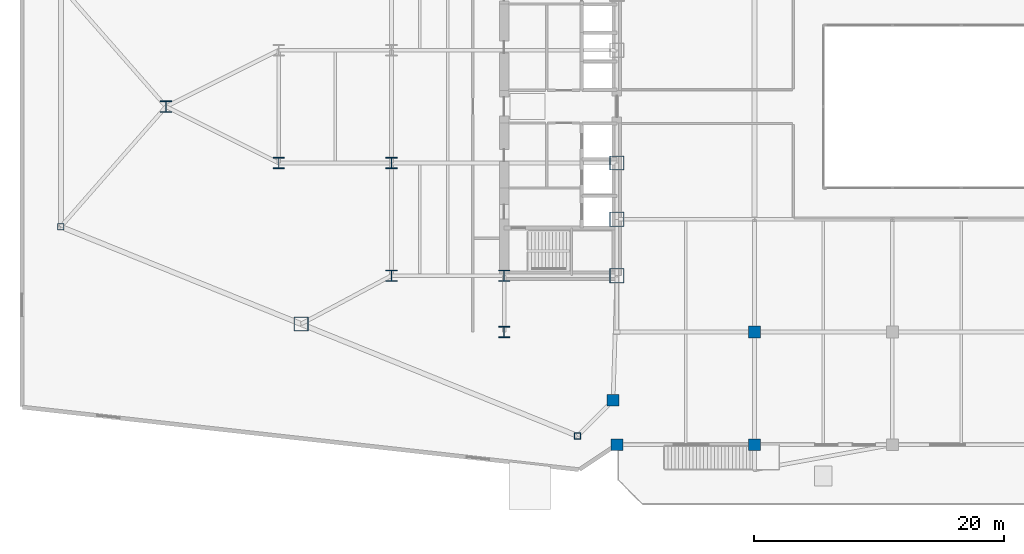
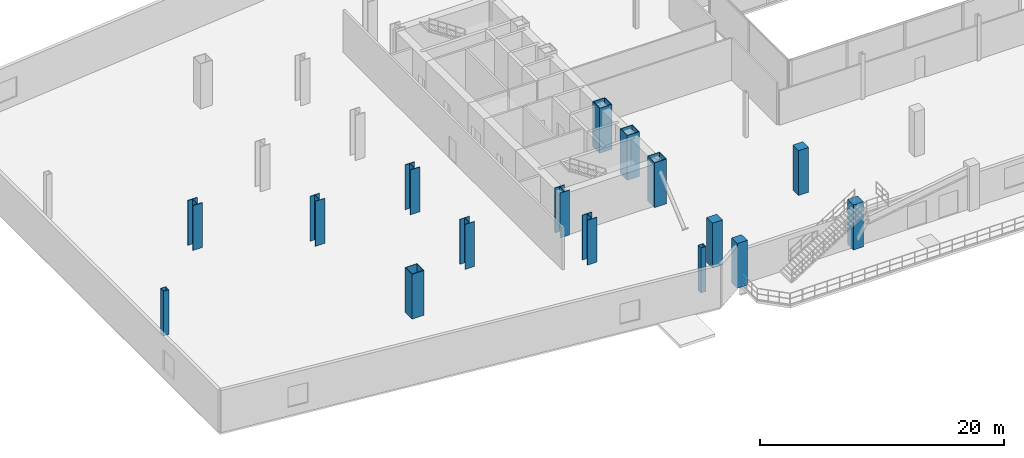
# One storey, part 1 of 25: 16 columns.
"""IFC4 building model written with IfcOpenShell, lengths in metres."""

from ifc_helpers import new_model, si_unit, direction, frame, origin, origin_2d, place, context, subcontext, project, spatial, rectangle, hollow_rectangle, i_section, extrude, source, transform, mapped, material, material_profile, profile_set, type_object, type_shapes, element, save


model = new_model("IFC4")

# Units and contexts
model_context = context("Model", 3, precision=1e-05, world=origin(), true_north=direction((0.0, 1.0)))
body_context = subcontext(model_context, "Body", "Model", "MODEL_VIEW")
ifc_project = project(units=[si_unit("LENGTHUNIT", "METRE"), si_unit("AREAUNIT", "SQUARE_METRE"), si_unit("VOLUMEUNIT", "CUBIC_METRE"), si_unit("PLANEANGLEUNIT", "RADIAN"), si_unit("MASSUNIT", "GRAM", prefix="KILO")], contexts=[model_context])

# Site, building, storey
site_placement = place(None, origin())
site = spatial("IfcSite", under=ifc_project, at=site_placement, CompositionType="ELEMENT")
building_placement = place(site_placement, origin())
building = spatial("IfcBuilding", under=site, at=building_placement, Name="Seokmaru Belvedere", CompositionType="ELEMENT")
storey_placement = place(building_placement, frame((0.0, 0.0, 5.39990234375)))
storey = spatial("IfcBuildingStorey", under=building, at=storey_placement, Name="L01", CompositionType="ELEMENT", Elevation=5.39990234375)

# Columns
ifc_material_1 = material(Name="Steel HSA650 (650 MPa)", Category="steel")
ifc_material_profile_1 = material_profile(ifc_material_1, hollow_rectangle(XDim=1.14990234375, YDim=1.14990234375, WallThickness=0.048095703125, at=origin_2d()), Name="BOX-1150x1150x48")
ifc_profile_set_1 = profile_set([ifc_material_profile_1], Name="Steel HSA650 (650 MPa)")
column_type_1 = type_object("IfcColumnType", Name="Portal Spine Column BOX-1150", PredefinedType="COLUMN", material=ifc_profile_set_1)
shared_shape_1 = source(origin(), body_context, "Body", "SweptSolid", [
    extrude(hollow_rectangle(XDim=1.14990234375, YDim=1.14990234375, WallThickness=0.048095703125, at=origin_2d()), origin(), (0.0, 0.0, 1.0), 4.5),
])
type_shapes(column_type_1, [shared_shape_1])
for number, where, z_axis, x_axis, name in (
    (1, (-27.5, -13.5, 0.0), (0.0, 0.0, 1.0), (1.0, 0.0, 0.0), "L01 Column WS1"),
    (2, (-27.5, -9.0, 0.0), (0.0, 0.0, 1.0), (1.0, 0.0, 0.0), "L01 Column WS2"),
    (3, (-27.5, -4.5, 0.0), (0.0, 0.0, 1.0), (1.0, 0.0, 0.0), "L01 Column WS3"),
    (4, (-52.715576171875, -17.360595703125, 0.0), (0.0, 0.0, 1.0), (1.0, 0.0, 0.0), "L01 Column WFLK_S2"),
):
    element("IfcColumn", number, at=place(storey_placement, frame(where, z_axis=z_axis, x_axis=x_axis)), inside=storey, type_object=column_type_1, Name=name, PredefinedType="COLUMN", context=body_context, shape_type="MappedRepresentation", body=[
        mapped(shared_shape_1, transform((0.0, 0.0, 0.0), scale=1.0)),
    ])
ifc_material_2 = material(Name="Concrete C50 (50 MPa)", Category="concrete")
ifc_material_profile_2 = material_profile(ifc_material_2, rectangle(XDim=0.949951171875, YDim=0.949951171875, at=origin_2d()), Name="RC-950x950")
ifc_profile_set_2 = profile_set([ifc_material_profile_2], Name="Concrete C50 (50 MPa)")
column_type_2 = type_object("IfcColumnType", Name="Podium Substructure Column RC-950", PredefinedType="COLUMN", material=ifc_profile_set_2)
shared_shape_2 = source(origin(), body_context, "Body", "SweptSolid", [
    extrude(rectangle(XDim=0.949951171875, YDim=0.949951171875, at=origin_2d()), origin(), (0.0, 0.0, 1.0), 4.5),
])
type_shapes(column_type_2, [shared_shape_2])
for number, where, z_axis, x_axis, name in (
    (5, (-27.5, -27.0, 0.0), (0.0, 0.0, 1.0), (1.0, 0.0, 0.0), "L01 Column WPS1"),
    (6, (-27.800048828125, -23.451416015625, 0.0), (0.0, 0.0, 1.0), (1.0, 0.0, 0.0), "L01 Column WPM_S"),
    (7, (-16.5, -27.0, 0.0), (0.0, 0.0, 1.0), (1.0, 0.0, 0.0), "L01 Column CP1_1"),
    (8, (-16.5, -18.0, 0.0), (0.0, 0.0, 1.0), (1.0, 0.0, 0.0), "L01 Column CP1_2"),
):
    element("IfcColumn", number, at=place(storey_placement, frame(where, z_axis=z_axis, x_axis=x_axis)), inside=storey, type_object=column_type_2, Name=name, PredefinedType="COLUMN", context=body_context, shape_type="MappedRepresentation", body=[
        mapped(shared_shape_2, transform((0.0, 0.0, 0.0), scale=1.0)),
    ])
ifc_material_profile_3 = material_profile(ifc_material_1, i_section(OverallWidth=0.89990234375, OverallDepth=0.89990234375, WebThickness=0.035888671875, FlangeThickness=0.054931640625, at=origin_2d()), Name="H-900x900x36x55")
ifc_profile_set_3 = profile_set([ifc_material_profile_3], Name="Steel HSA650 (650 MPa)")
column_type_3 = type_object("IfcColumnType", Name="Lower Interior Column H-900", PredefinedType="COLUMN", material=ifc_profile_set_3)
shared_shape_3 = source(origin(), body_context, "Body", "SweptSolid", [
    extrude(i_section(OverallWidth=0.89990234375, OverallDepth=0.89990234375, WebThickness=0.035888671875, FlangeThickness=0.054931640625, at=origin_2d()), origin(), (0.0, 0.0, 1.0), 4.5),
])
type_shapes(column_type_3, [shared_shape_3])
for number, where, z_axis, x_axis, name in (
    (9, (-36.5, -18.0, 0.0), (0.0, 0.0, 1.0), (1.0, 0.0, 0.0), "L01 Column WC1"),
    (10, (-36.5, -13.5, 0.0), (0.0, 0.0, 1.0), (1.0, 0.0, 0.0), "L01 Column WC2"),
    (11, (-45.5, -13.5, 0.0), (0.0, 0.0, 1.0), (1.0, 0.0, 0.0), "L01 Column WG5_1"),
    (12, (-45.5, -4.5, 0.0), (0.0, 0.0, 1.0), (1.0, 0.0, 0.0), "L01 Column WG5_2"),
    (13, (-54.5, -4.5, 0.0), (0.0, 0.0, 1.0), (1.0, 0.0, 0.0), "L01 Column WG4P_1"),
    (14, (-63.5, 0.0, 0.0), (0.0, 0.0, 1.0), (1.0, 0.0, 0.0), "L01 Column WG3P_1"),
):
    element("IfcColumn", number, at=place(storey_placement, frame(where, z_axis=z_axis, x_axis=x_axis)), inside=storey, type_object=column_type_3, Name=name, PredefinedType="COLUMN", context=body_context, shape_type="MappedRepresentation", body=[
        mapped(shared_shape_3, transform((0.0, 0.0, 0.0), scale=1.0)),
    ])
ifc_material_3 = material(Name="Steel SM355 (355 MPa)", Category="steel")
ifc_material_profile_4 = material_profile(ifc_material_3, hollow_rectangle(XDim=0.5, YDim=0.5, WallThickness=0.02001953125, at=origin_2d()), Name="HSS-500x500x20")
ifc_profile_set_4 = profile_set([ifc_material_profile_4], Name="Steel SM355 (355 MPa)")
column_type_4 = type_object("IfcColumnType", Name="Perimeter Facet Column HSS-500", PredefinedType="COLUMN", material=ifc_profile_set_4)
shared_shape_4 = source(origin(), body_context, "Body", "SweptSolid", [
    extrude(hollow_rectangle(XDim=0.5, YDim=0.5, WallThickness=0.02001953125, at=origin_2d()), origin(), (0.0, 0.0, 1.0), 4.5),
])
type_shapes(column_type_4, [shared_shape_4])
for number, where, z_axis, x_axis, name in (
    (15, (-71.89990234375, -9.595703125, 0.0), (0.0, 0.0, 1.0), (1.0, 0.0, 0.0), "L01 Column WF5"),
    (16, (-30.643310546875, -26.294677734375, 0.0), (0.0, 0.0, 1.0), (1.0, 0.0, 0.0), "L01 Column WF6"),
):
    element("IfcColumn", number, at=place(storey_placement, frame(where, z_axis=z_axis, x_axis=x_axis)), inside=storey, type_object=column_type_4, Name=name, PredefinedType="COLUMN", context=body_context, shape_type="MappedRepresentation", body=[
        mapped(shared_shape_4, transform((0.0, 0.0, 0.0), scale=1.0)),
    ])

save(model, "model.ifc")
